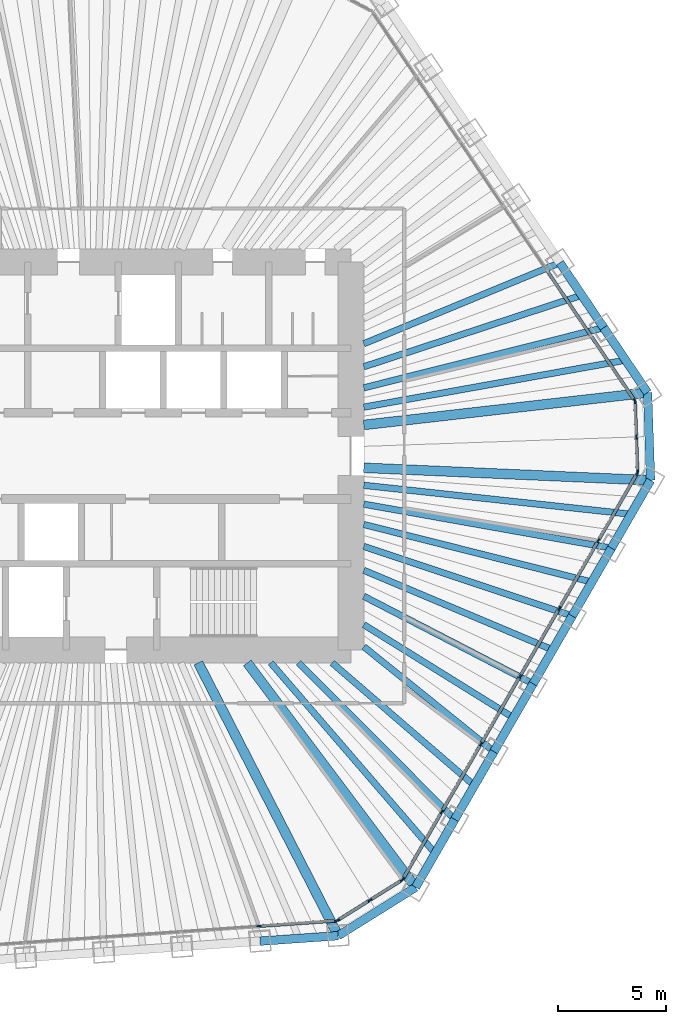
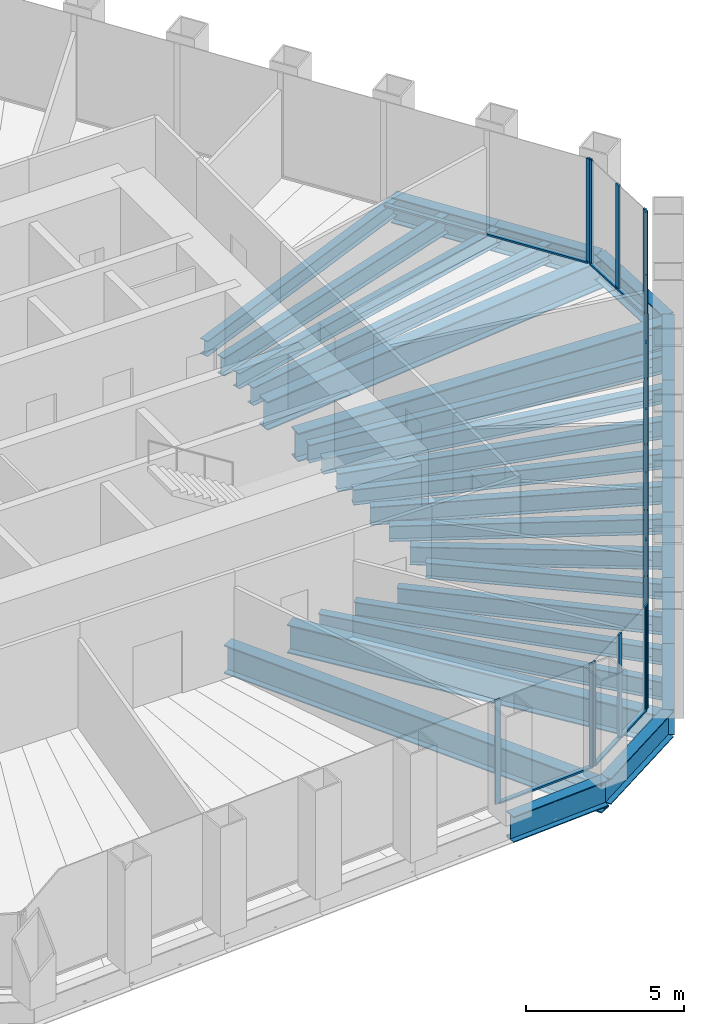
# One storey, part 4 of 14: 30 beams, 29 members, 5 elements without a shape of their own.
"""IFC4 building model written with IfcOpenShell, lengths in metres."""

from ifc_helpers import new_model, si_unit, direction, frame, origin, origin_2d, place, context, subcontext, project, spatial, rectangle, i_section, extrude, material, material_profile, profile_set, type_object, element, aggregate, save


model = new_model("IFC4")

# Units and contexts
model_context = context("Model", 3, precision=1e-05, world=origin(), true_north=direction((0.0, 1.0)))
body_context = subcontext(model_context, "Body", "Model", "MODEL_VIEW")
ifc_project = project(units=[si_unit("LENGTHUNIT", "METRE"), si_unit("AREAUNIT", "SQUARE_METRE"), si_unit("VOLUMEUNIT", "CUBIC_METRE"), si_unit("PLANEANGLEUNIT", "RADIAN"), si_unit("MASSUNIT", "GRAM", prefix="KILO")], contexts=[model_context])

# Site, building, storey
site_placement = place(None, origin())
site = spatial("IfcSite", under=ifc_project, at=site_placement, CompositionType="ELEMENT")
building_placement = place(site_placement, origin())
building = spatial("IfcBuilding", under=site, at=building_placement, Name="Qingtian Harvest Tower", CompositionType="ELEMENT")
storey_placement = place(building_placement, frame((0.0, 0.0, 239.199951171875)))
storey = spatial("IfcBuildingStorey", under=building, at=storey_placement, Name="L52", CompositionType="ELEMENT", Elevation=239.199951171875)

# Beams
ifc_material_1 = material(Name="Steel SM570MC", Category="steel")
ifc_material_profile_1 = material_profile(ifc_material_1, i_section(OverallWidth=0.449951171875, OverallDepth=1.10009765625, WebThickness=0.02197265625, FlangeThickness=0.044921875, at=origin_2d()), Name="H1100x450x22x45")
ifc_profile_set_1 = profile_set([ifc_material_profile_1], Name="Steel SM570MC")
beam_type_1 = type_object("IfcBeamType", Name="Corner floor beam FB8 H1100x450x22x45", PredefinedType="BEAM", material=ifc_profile_set_1)
beam_1_placement = place(storey_placement, frame((25.762451171875, 2.936279296875, -0.719970703125), z_axis=(-0.993566901619, -0.113246686522, 0.0), x_axis=(0.113246686522, -0.993566901619, 0.0)))
element("IfcBeam", 1, at=beam_1_placement, inside=storey, type_object=beam_type_1, Name="Floor beam FB8 NE6", PredefinedType="BEAM", context=body_context, shape_type="SweptSolid", body=[
    extrude(i_section(OverallWidth=0.449951171875, OverallDepth=1.10009765625, WebThickness=0.02197265625, FlangeThickness=0.044921875, at=origin_2d()), origin(), (0.0, 0.0, 1.0), 13.24755859375),
])
beam_2_placement = place(storey_placement, frame((25.904541015625, -1.1318359375, -0.719970703125), z_axis=(-0.999046865424, 0.043650437408, 0.0), x_axis=(-0.043650437408, -0.999046865424, 0.0)))
element("IfcBeam", 2, at=beam_2_placement, inside=storey, type_object=beam_type_1, Name="Floor beam FB8 SE0", PredefinedType="BEAM", context=body_context, shape_type="SweptSolid", body=[
    extrude(i_section(OverallWidth=0.449951171875, OverallDepth=1.10009765625, WebThickness=0.02197265625, FlangeThickness=0.044921875, at=origin_2d()), origin(), (0.0, 0.0, 1.0), 13.317138671875),
])
beam_3_placement = place(storey_placement, frame((15.00390625, -20.012451171875, -0.719970703125), z_axis=(-0.599858913609, 0.800105795357, 0.0), x_axis=(-0.800105795357, -0.599858913609, 0.0)))
element("IfcBeam", 3, at=beam_3_placement, inside=storey, type_object=beam_type_1, Name="Floor beam FB8 SE6", PredefinedType="BEAM", context=body_context, shape_type="SweptSolid", body=[
    extrude(i_section(OverallWidth=0.449951171875, OverallDepth=1.10009765625, WebThickness=0.02197265625, FlangeThickness=0.044921875, at=origin_2d()), origin(), (0.0, 0.0, 1.0), 13.013671875),
])
beam_4_placement = place(storey_placement, frame((11.40966796875, -22.25830078125, -0.719970703125), z_axis=(-0.456157396608, 0.889899111989, 0.0), x_axis=(-0.889899111989, -0.456157396608, 0.0)))
element("IfcBeam", 4, at=beam_4_placement, inside=storey, type_object=beam_type_1, Name="Floor beam FB8 S0", PredefinedType="BEAM", context=body_context, shape_type="SweptSolid", body=[
    extrude(i_section(OverallWidth=0.449951171875, OverallDepth=1.10009765625, WebThickness=0.02197265625, FlangeThickness=0.044921875, at=origin_2d()), origin(), (0.0, 0.0, 1.0), 14.224365234375),
])
ifc_material_2 = material(Name="Steel SN490B", Category="steel")
ifc_material_profile_2 = material_profile(ifc_material_2, i_section(OverallWidth=0.300048828125, OverallDepth=0.60009765625, WebThickness=0.011962890625, FlangeThickness=0.02001953125, at=origin_2d()), Name="H600x300x12x20")
ifc_profile_set_2 = profile_set([ifc_material_profile_2], Name="Steel SN490B")
beam_type_2 = type_object("IfcBeamType", Name="Floor beam FB3 H600x300x12x20", PredefinedType="BEAM", material=ifc_profile_set_2)
beam_5_placement = place(storey_placement, frame((21.69873046875, 8.9609375, -0.469970703125), z_axis=(-0.924281590361, -0.381711332973, 0.0), x_axis=(0.381711332973, -0.924281590361, 0.0)))
element("IfcBeam", 5, at=beam_5_placement, inside=storey, type_object=beam_type_2, Name="Floor beam FB3 NE4", PredefinedType="BEAM", context=body_context, shape_type="SweptSolid", body=[
    extrude(i_section(OverallWidth=0.300048828125, OverallDepth=0.60009765625, WebThickness=0.011962890625, FlangeThickness=0.02001953125, at=origin_2d()), origin(), (0.0, 0.0, 1.0), 9.843994140625),
])
beam_6_placement = place(storey_placement, frame((23.730712890625, 5.948486328125, -0.469970703125), z_axis=(-0.969990876487, -0.243141315972, 0.0), x_axis=(0.243141315972, -0.969990876487, 0.0)))
element("IfcBeam", 6, at=beam_6_placement, inside=storey, type_object=beam_type_2, Name="Floor beam FB3 NE5", PredefinedType="BEAM", context=body_context, shape_type="SweptSolid", body=[
    extrude(i_section(OverallWidth=0.300048828125, OverallDepth=0.60009765625, WebThickness=0.011962890625, FlangeThickness=0.02001953125, at=origin_2d()), origin(), (0.0, 0.0, 1.0), 11.474853515625),
])
beam_7_placement = place(storey_placement, frame((24.087890625, -4.27880859375, -0.469970703125), z_axis=(-0.98458469654, 0.174908477034, 0.0), x_axis=(-0.174908477034, -0.98458469654, 0.0)))
element("IfcBeam", 7, at=beam_7_placement, inside=storey, type_object=beam_type_2, Name="Floor beam FB3 SE1", PredefinedType="BEAM", context=body_context, shape_type="SweptSolid", body=[
    extrude(i_section(OverallWidth=0.300048828125, OverallDepth=0.60009765625, WebThickness=0.011962890625, FlangeThickness=0.02001953125, at=origin_2d()), origin(), (0.0, 0.0, 1.0), 11.667724609375),
])
beam_8_placement = place(storey_placement, frame((22.27099609375, -7.425537109375, -0.469970703125), z_axis=(-0.948654555734, 0.316313979908, 0.0), x_axis=(-0.316313979908, -0.948654555734, 0.0)))
element("IfcBeam", 8, at=beam_8_placement, inside=storey, type_object=beam_type_2, Name="Floor beam FB3 SE2", PredefinedType="BEAM", context=body_context, shape_type="SweptSolid", body=[
    extrude(i_section(OverallWidth=0.300048828125, OverallDepth=0.60009765625, WebThickness=0.011962890625, FlangeThickness=0.02001953125, at=origin_2d()), origin(), (0.0, 0.0, 1.0), 10.1943359375),
])
beam_9_placement = place(storey_placement, frame((20.454345703125, -10.572265625, -0.469970703125), z_axis=(-0.888343501027, 0.459179511938, 0.0), x_axis=(-0.459179511938, -0.888343501027, 0.0)))
element("IfcBeam", 9, at=beam_9_placement, inside=storey, type_object=beam_type_2, Name="Floor beam FB3 SE3", PredefinedType="BEAM", context=body_context, shape_type="SweptSolid", body=[
    extrude(i_section(OverallWidth=0.300048828125, OverallDepth=0.60009765625, WebThickness=0.011962890625, FlangeThickness=0.02001953125, at=origin_2d()), origin(), (0.0, 0.0, 1.0), 8.841552734375),
])
beam_10_placement = place(storey_placement, frame((18.637451171875, -13.718994140625, -0.469970703125), z_axis=(-0.77840907003, 0.62775737327, 0.0), x_axis=(-0.62775737327, -0.77840907003, 0.0)))
element("IfcBeam", 10, at=beam_10_placement, inside=storey, type_object=beam_type_2, Name="Floor beam FB3 SE4", PredefinedType="BEAM", context=body_context, shape_type="SweptSolid", body=[
    extrude(i_section(OverallWidth=0.300048828125, OverallDepth=0.60009765625, WebThickness=0.011962890625, FlangeThickness=0.02001953125, at=origin_2d()), origin(), (0.0, 0.0, 1.0), 7.756103515625),
])
beam_11_placement = place(storey_placement, frame((16.82080078125, -16.86572265625, -0.469970703125), z_axis=(-0.70616637797, 0.708045935392, 0.0), x_axis=(-0.708045935392, -0.70616637797, 0.0)))
element("IfcBeam", 11, at=beam_11_placement, inside=storey, type_object=beam_type_2, Name="Floor beam FB3 SE5", PredefinedType="BEAM", context=body_context, shape_type="SweptSolid", body=[
    extrude(i_section(OverallWidth=0.300048828125, OverallDepth=0.60009765625, WebThickness=0.011962890625, FlangeThickness=0.02001953125, at=origin_2d()), origin(), (0.0, 0.0, 1.0), 10.261474609375),
])
ifc_material_3 = material(Name="Steel SN490B", Category="steel")
ifc_material_profile_3 = material_profile(ifc_material_3, i_section(OverallWidth=0.300048828125, OverallDepth=0.699951171875, WebThickness=0.012939453125, FlangeThickness=0.02392578125, at=origin_2d()), Name="H700x300x13x24")
ifc_profile_set_3 = profile_set([ifc_material_profile_3], Name="Steel SN490B")
beam_type_3 = type_object("IfcBeamType", Name="Floor joist J2 H700x300x13x24", PredefinedType="JOIST", material=ifc_profile_set_3)
beam_12_placement = place(storey_placement, frame((22.71484375, 7.454833984375, -0.52001953125), z_axis=(-0.950138567513, -0.311828001508, 0.0), x_axis=(0.311828001508, -0.950138567513, 0.0)))
element("IfcBeam", 12, at=beam_12_placement, inside=storey, type_object=beam_type_3, Name="Floor joist J2 NE4", PredefinedType="JOIST", context=body_context, shape_type="SweptSolid", body=[
    extrude(i_section(OverallWidth=0.300048828125, OverallDepth=0.699951171875, WebThickness=0.012939453125, FlangeThickness=0.02392578125, at=origin_2d()), origin(), (0.0, 0.0, 1.0), 10.6455078125),
])
beam_13_placement = place(storey_placement, frame((24.74658203125, 4.4423828125, -0.52001953125), z_axis=(-0.98426723745, -0.176686177393, 0.0), x_axis=(0.176686177393, -0.98426723745, 0.0)))
element("IfcBeam", 13, at=beam_13_placement, inside=storey, type_object=beam_type_3, Name="Floor joist J2 NE5", PredefinedType="JOIST", context=body_context, shape_type="SweptSolid", body=[
    extrude(i_section(OverallWidth=0.300048828125, OverallDepth=0.699951171875, WebThickness=0.012939453125, FlangeThickness=0.02392578125, at=origin_2d()), origin(), (0.0, 0.0, 1.0), 12.340576171875),
])
beam_14_placement = place(storey_placement, frame((24.99609375, -2.705322265625, -0.52001953125), z_axis=(-0.994194656298, 0.107596400448, 0.0), x_axis=(-0.107596400448, -0.994194656298, 0.0)))
element("IfcBeam", 14, at=beam_14_placement, inside=storey, type_object=beam_type_3, Name="Floor joist J2 SE0", PredefinedType="JOIST", context=body_context, shape_type="SweptSolid", body=[
    extrude(i_section(OverallWidth=0.300048828125, OverallDepth=0.699951171875, WebThickness=0.012939453125, FlangeThickness=0.02392578125, at=origin_2d()), origin(), (0.0, 0.0, 1.0), 12.46826171875),
])
beam_15_placement = place(storey_placement, frame((23.179443359375, -5.85205078125, -0.52001953125), z_axis=(-0.969577887027, 0.244783007963, 0.0), x_axis=(-0.244783007963, -0.969577887027, 0.0)))
element("IfcBeam", 15, at=beam_15_placement, inside=storey, type_object=beam_type_3, Name="Floor joist J2 SE1", PredefinedType="JOIST", context=body_context, shape_type="SweptSolid", body=[
    extrude(i_section(OverallWidth=0.300048828125, OverallDepth=0.699951171875, WebThickness=0.012939453125, FlangeThickness=0.02392578125, at=origin_2d()), origin(), (0.0, 0.0, 1.0), 10.911376953125),
])
beam_16_placement = place(storey_placement, frame((21.362548828125, -8.998779296875, -0.52001953125), z_axis=(-0.921571079516, 0.388209666803, 0.0), x_axis=(-0.388209666803, -0.921571079516, 0.0)))
element("IfcBeam", 16, at=beam_16_placement, inside=storey, type_object=beam_type_3, Name="Floor joist J2 SE2", PredefinedType="JOIST", context=body_context, shape_type="SweptSolid", body=[
    extrude(i_section(OverallWidth=0.300048828125, OverallDepth=0.699951171875, WebThickness=0.012939453125, FlangeThickness=0.02392578125, at=origin_2d()), origin(), (0.0, 0.0, 1.0), 9.508056640625),
])
beam_17_placement = place(storey_placement, frame((19.5458984375, -12.1455078125, -0.52001953125), z_axis=(-0.849380822906, 0.527780463526, 0.0), x_axis=(-0.527780463526, -0.849380822906, 0.0)))
element("IfcBeam", 17, at=beam_17_placement, inside=storey, type_object=beam_type_3, Name="Floor joist J2 SE3", PredefinedType="JOIST", context=body_context, shape_type="SweptSolid", body=[
    extrude(i_section(OverallWidth=0.300048828125, OverallDepth=0.699951171875, WebThickness=0.012939453125, FlangeThickness=0.02392578125, at=origin_2d()), origin(), (0.0, 0.0, 1.0), 8.177490234375),
])
beam_18_placement = place(storey_placement, frame((17.72900390625, -15.292236328125, -0.52001953125), z_axis=(-0.757237954988, 0.653139096613, 0.0), x_axis=(-0.653139096613, -0.757237954988, 0.0)))
element("IfcBeam", 18, at=beam_18_placement, inside=storey, type_object=beam_type_3, Name="Floor joist J2 SE4", PredefinedType="JOIST", context=body_context, shape_type="SweptSolid", body=[
    extrude(i_section(OverallWidth=0.300048828125, OverallDepth=0.699951171875, WebThickness=0.012939453125, FlangeThickness=0.02392578125, at=origin_2d()), origin(), (0.0, 0.0, 1.0), 8.715087890625),
])
beam_19_placement = place(storey_placement, frame((15.912353515625, -18.43896484375, -0.52001953125), z_axis=(-0.653343257086, 0.757061812813, 0.0), x_axis=(-0.757061812813, -0.653343257086, 0.0)))
element("IfcBeam", 19, at=beam_19_placement, inside=storey, type_object=beam_type_3, Name="Floor joist J2 SE5", PredefinedType="JOIST", context=body_context, shape_type="SweptSolid", body=[
    extrude(i_section(OverallWidth=0.300048828125, OverallDepth=0.699951171875, WebThickness=0.012939453125, FlangeThickness=0.02392578125, at=origin_2d()), origin(), (0.0, 0.0, 1.0), 11.67529296875),
])

# Curtain wall, member
ifc_material_4 = material(Name="Bronze-anodised aluminium curtain wall", Category="aluminium")
curtain_wall_type = type_object("IfcCurtainWallType", Name="Curtain wall CW4 office", PredefinedType="USERDEFINED", material=ifc_material_4)
curtain_wall_1_placement = place(storey_placement, origin())
curtain_wall_1 = element("IfcCurtainWall", 20, at=curtain_wall_1_placement, inside=storey, type_object=curtain_wall_type, Name="Curtain wall CW4 L52 NE0-5", ObjectType="RECESSED CURTAIN WALL", PredefinedType="USERDEFINED")
ifc_material_5 = material(Name="Bronze-anodised aluminium mullion", Category="aluminium")
ifc_material_profile_4 = material_profile(ifc_material_5, rectangle(XDim=0.06494140625, YDim=0.199951171875, at=origin_2d()), Name="AL 65x200")
ifc_profile_set_4 = profile_set([ifc_material_profile_4], Name="Bronze-anodised aluminium mullion")
member_type_1 = type_object("IfcMemberType", Name="Mullion CWM 65x200", PredefinedType="MULLION", material=ifc_profile_set_4)
member_1_placement = place(storey_placement, frame((25.1640625, 2.57177734375, 0.0), z_axis=(0.0, 0.0, 1.0), x_axis=(0.829037572555, 0.559192903471, 0.0)))
member_1 = element("IfcMember", 21, at=member_1_placement, type_object=member_type_1, Name="CW4 mullion 7", PredefinedType="MULLION", context=body_context, shape_type="SweptSolid", body=[
    extrude(rectangle(XDim=0.06494140625, YDim=0.199951171875, at=origin_2d()), origin(), (0.0, 0.0, 1.0), 4.030029296875),
])

# Curtain wall, members
curtain_wall_2_placement = place(storey_placement, origin())
curtain_wall_2 = element("IfcCurtainWall", 22, at=curtain_wall_2_placement, inside=storey, type_object=curtain_wall_type, Name="Curtain wall CW4 L52 NEC", ObjectType="RECESSED CURTAIN WALL", PredefinedType="USERDEFINED")
member_2_placement = place(storey_placement, frame((25.183349609375, 2.51220703125, 0.0), z_axis=(0.0, 0.0, 1.0), x_axis=(0.999390827019, 0.034899496703, 0.0)))
member_2 = element("IfcMember", 23, at=member_2_placement, type_object=member_type_1, Name="CW4 mullion 1", PredefinedType="MULLION", context=body_context, shape_type="SweptSolid", body=[
    extrude(rectangle(XDim=0.06494140625, YDim=0.199951171875, at=origin_2d()), origin(), (0.0, 0.0, 1.0), 4.030029296875),
])
member_3_placement = place(storey_placement, frame((25.240234375, 0.88134765625, 0.0), z_axis=(0.0, 0.0, 1.0), x_axis=(0.999390827019, 0.034899496703, 0.0)))
member_3 = element("IfcMember", 24, at=member_3_placement, type_object=member_type_1, Name="CW4 mullion 2", PredefinedType="MULLION", context=body_context, shape_type="SweptSolid", body=[
    extrude(rectangle(XDim=0.06494140625, YDim=0.199951171875, at=origin_2d()), origin(), (0.0, 0.0, 1.0), 4.030029296875),
])
member_4_placement = place(storey_placement, frame((25.297119140625, -0.74951171875, 0.0), z_axis=(0.0, 0.0, 1.0), x_axis=(0.999390827019, 0.034899496703, 0.0)))
member_4 = element("IfcMember", 25, at=member_4_placement, type_object=member_type_1, Name="CW4 mullion 3", PredefinedType="MULLION", context=body_context, shape_type="SweptSolid", body=[
    extrude(rectangle(XDim=0.06494140625, YDim=0.199951171875, at=origin_2d()), origin(), (0.0, 0.0, 1.0), 4.030029296875),
])

curtain_wall_3_placement = place(storey_placement, origin())
curtain_wall_3 = element("IfcCurtainWall", 26, at=curtain_wall_3_placement, inside=storey, type_object=curtain_wall_type, Name="Curtain wall CW4 L52 SE0-5", ObjectType="RECESSED CURTAIN WALL", PredefinedType="USERDEFINED")
member_5_placement = place(storey_placement, frame((25.2822265625, -0.81005859375, 0.0), z_axis=(0.0, 0.0, 1.0), x_axis=(0.866025403784, -0.5, 0.0)))
member_5 = element("IfcMember", 27, at=member_5_placement, type_object=member_type_1, Name="CW4 mullion 1", PredefinedType="MULLION", context=body_context, shape_type="SweptSolid", body=[
    extrude(rectangle(XDim=0.06494140625, YDim=0.199951171875, at=origin_2d()), origin(), (0.0, 0.0, 1.0), 4.030029296875),
])
member_6_placement = place(storey_placement, frame((23.481689453125, -3.9287109375, 0.0), z_axis=(0.0, 0.0, 1.0), x_axis=(0.866025403784, -0.5, 0.0)))
member_6 = element("IfcMember", 28, at=member_6_placement, type_object=member_type_1, Name="CW4 mullion 2", PredefinedType="MULLION", context=body_context, shape_type="SweptSolid", body=[
    extrude(rectangle(XDim=0.06494140625, YDim=0.199951171875, at=origin_2d()), origin(), (0.0, 0.0, 1.0), 4.030029296875),
])
member_7_placement = place(storey_placement, frame((21.664794921875, -7.075439453125, 0.0), z_axis=(0.0, 0.0, 1.0), x_axis=(0.866025403784, -0.5, 0.0)))
member_7 = element("IfcMember", 29, at=member_7_placement, type_object=member_type_1, Name="CW4 mullion 3", PredefinedType="MULLION", context=body_context, shape_type="SweptSolid", body=[
    extrude(rectangle(XDim=0.06494140625, YDim=0.199951171875, at=origin_2d()), origin(), (0.0, 0.0, 1.0), 4.030029296875),
])
member_8_placement = place(storey_placement, frame((19.84814453125, -10.22216796875, 0.0), z_axis=(0.0, 0.0, 1.0), x_axis=(0.866025403784, -0.5, 0.0)))
member_8 = element("IfcMember", 30, at=member_8_placement, type_object=member_type_1, Name="CW4 mullion 4", PredefinedType="MULLION", context=body_context, shape_type="SweptSolid", body=[
    extrude(rectangle(XDim=0.06494140625, YDim=0.199951171875, at=origin_2d()), origin(), (0.0, 0.0, 1.0), 4.030029296875),
])
member_9_placement = place(storey_placement, frame((18.03125, -13.368896484375, 0.0), z_axis=(0.0, 0.0, 1.0), x_axis=(0.866025403784, -0.5, 0.0)))
member_9 = element("IfcMember", 31, at=member_9_placement, type_object=member_type_1, Name="CW4 mullion 5", PredefinedType="MULLION", context=body_context, shape_type="SweptSolid", body=[
    extrude(rectangle(XDim=0.06494140625, YDim=0.199951171875, at=origin_2d()), origin(), (0.0, 0.0, 1.0), 4.030029296875),
])
member_10_placement = place(storey_placement, frame((16.214599609375, -16.515625, 0.0), z_axis=(0.0, 0.0, 1.0), x_axis=(0.866025403784, -0.5, 0.0)))
member_10 = element("IfcMember", 32, at=member_10_placement, type_object=member_type_1, Name="CW4 mullion 6", PredefinedType="MULLION", context=body_context, shape_type="SweptSolid", body=[
    extrude(rectangle(XDim=0.06494140625, YDim=0.199951171875, at=origin_2d()), origin(), (0.0, 0.0, 1.0), 4.030029296875),
])
member_11_placement = place(storey_placement, frame((14.4140625, -19.63427734375, 0.0), z_axis=(0.0, 0.0, 1.0), x_axis=(0.866025403784, -0.5, 0.0)))
member_11 = element("IfcMember", 33, at=member_11_placement, type_object=member_type_1, Name="CW4 mullion 7", PredefinedType="MULLION", context=body_context, shape_type="SweptSolid", body=[
    extrude(rectangle(XDim=0.06494140625, YDim=0.199951171875, at=origin_2d()), origin(), (0.0, 0.0, 1.0), 4.030029296875),
])

curtain_wall_4_placement = place(storey_placement, origin())
curtain_wall_4 = element("IfcCurtainWall", 34, at=curtain_wall_4_placement, inside=storey, type_object=curtain_wall_type, Name="Curtain wall CW4 L52 SEC", ObjectType="RECESSED CURTAIN WALL", PredefinedType="USERDEFINED")
member_12_placement = place(storey_placement, frame((14.3701171875, -19.6796875, 0.0), z_axis=(0.0, 0.0, 1.0), x_axis=(0.529919264233, -0.848048096156, 0.0)))
member_12 = element("IfcMember", 35, at=member_12_placement, type_object=member_type_1, Name="CW4 mullion 1", PredefinedType="MULLION", context=body_context, shape_type="SweptSolid", body=[
    extrude(rectangle(XDim=0.06494140625, YDim=0.199951171875, at=origin_2d()), origin(), (0.0, 0.0, 1.0), 4.030029296875),
])
member_13_placement = place(storey_placement, frame((12.87939453125, -20.611328125, 0.0), z_axis=(0.0, 0.0, 1.0), x_axis=(0.529919264233, -0.848048096156, 0.0)))
member_13 = element("IfcMember", 36, at=member_13_placement, type_object=member_type_1, Name="CW4 mullion 2", PredefinedType="MULLION", context=body_context, shape_type="SweptSolid", body=[
    extrude(rectangle(XDim=0.06494140625, YDim=0.199951171875, at=origin_2d()), origin(), (0.0, 0.0, 1.0), 4.030029296875),
])
member_14_placement = place(storey_placement, frame((11.388427734375, -21.542724609375, 0.0), z_axis=(0.0, 0.0, 1.0), x_axis=(0.529919264233, -0.848048096156, 0.0)))
member_14 = element("IfcMember", 37, at=member_14_placement, type_object=member_type_1, Name="CW4 mullion 3", PredefinedType="MULLION", context=body_context, shape_type="SweptSolid", body=[
    extrude(rectangle(XDim=0.06494140625, YDim=0.199951171875, at=origin_2d()), origin(), (0.0, 0.0, 1.0), 4.030029296875),
])

curtain_wall_5_placement = place(storey_placement, origin())
curtain_wall_5 = element("IfcCurtainWall", 38, at=curtain_wall_5_placement, inside=storey, type_object=curtain_wall_type, Name="Curtain wall CW4 L52 S0-5", ObjectType="RECESSED CURTAIN WALL", PredefinedType="USERDEFINED")
member_15_placement = place(storey_placement, frame((11.32861328125, -21.562255859375, 0.0), z_axis=(0.0, 0.0, 1.0), x_axis=(0.069756473744, -0.99756405026, 0.0)))
member_15 = element("IfcMember", 39, at=member_15_placement, type_object=member_type_1, Name="CW4 mullion 1", PredefinedType="MULLION", context=body_context, shape_type="SweptSolid", body=[
    extrude(rectangle(XDim=0.06494140625, YDim=0.199951171875, at=origin_2d()), origin(), (0.0, 0.0, 1.0), 4.030029296875),
])
member_16_placement = place(storey_placement, frame((7.736328125, -21.8134765625, 0.0), z_axis=(0.0, 0.0, 1.0), x_axis=(0.069756473744, -0.99756405026, 0.0)))
member_16 = element("IfcMember", 40, at=member_16_placement, type_object=member_type_1, Name="CW4 mullion 2", PredefinedType="MULLION", context=body_context, shape_type="SweptSolid", body=[
    extrude(rectangle(XDim=0.06494140625, YDim=0.199951171875, at=origin_2d()), origin(), (0.0, 0.0, 1.0), 4.030029296875),
])

# Beams
ifc_material_6 = material(Name="Steel SN490B", Category="steel")
ifc_material_profile_5 = material_profile(ifc_material_6, i_section(OverallWidth=0.39990234375, OverallDepth=1.0, WebThickness=0.01904296875, FlangeThickness=0.035888671875, at=origin_2d()), Name="H1000x400x19x36")
ifc_profile_set_5 = profile_set([ifc_material_profile_5], Name="Steel SN490B")
beam_type_4 = type_object("IfcBeamType", Name="Spandrel beam SB3 H1000x400x19x36", PredefinedType="SPANDREL", material=ifc_profile_set_5)
beam_20_placement = place(storey_placement, frame((21.69873046875, 8.9609375, -0.5), z_axis=(0.55920395902, -0.829030115385, 0.0), x_axis=(0.829030115385, 0.55920395902, 0.0)))
element("IfcBeam", 41, at=beam_20_placement, inside=storey, type_object=beam_type_4, Name="Spandrel SB3 NE4", PredefinedType="SPANDREL", context=body_context, shape_type="SweptSolid", body=[
    extrude(i_section(OverallWidth=0.39990234375, OverallDepth=1.0, WebThickness=0.01904296875, FlangeThickness=0.035888671875, at=origin_2d()), origin(), (0.0, 0.0, 1.0), 3.6337890625),
])
beam_21_placement = place(storey_placement, frame((23.730712890625, 5.948486328125, -0.5), z_axis=(0.559188928021, -0.829040254016, 0.0), x_axis=(0.829040254016, 0.559188928021, 0.0)))
element("IfcBeam", 42, at=beam_21_placement, inside=storey, type_object=beam_type_4, Name="Spandrel SB3 NE5", PredefinedType="SPANDREL", context=body_context, shape_type="SweptSolid", body=[
    extrude(i_section(OverallWidth=0.39990234375, OverallDepth=1.0, WebThickness=0.01904296875, FlangeThickness=0.035888671875, at=origin_2d()), origin(), (0.0, 0.0, 1.0), 3.63330078125),
])
beam_22_placement = place(storey_placement, frame((25.762451171875, 2.936279296875, -0.5), z_axis=(0.03490639867, -0.999390585973, 0.0), x_axis=(0.999390585973, 0.03490639867, 0.0)))
element("IfcBeam", 43, at=beam_22_placement, inside=storey, type_object=beam_type_4, Name="Spandrel SB3 NEC", PredefinedType="SPANDREL", context=body_context, shape_type="SweptSolid", body=[
    extrude(i_section(OverallWidth=0.39990234375, OverallDepth=1.0, WebThickness=0.01904296875, FlangeThickness=0.035888671875, at=origin_2d()), origin(), (0.0, 0.0, 1.0), 4.070556640625),
])
beam_23_placement = place(storey_placement, frame((25.904541015625, -1.1318359375, -0.5), z_axis=(-0.499947341849, -0.866055803848, 0.0), x_axis=(0.866055803848, -0.499947341849, 0.0)))
element("IfcBeam", 44, at=beam_23_placement, inside=storey, type_object=beam_type_4, Name="Spandrel SB3 SE0", PredefinedType="SPANDREL", context=body_context, shape_type="SweptSolid", body=[
    extrude(i_section(OverallWidth=0.39990234375, OverallDepth=1.0, WebThickness=0.01904296875, FlangeThickness=0.035888671875, at=origin_2d()), origin(), (0.0, 0.0, 1.0), 3.6337890625),
])
for number, where, z_axis, x_axis, name in (
    (45, (24.087890625, -4.27880859375, -0.5), (-0.500026827678, -0.866009914263, 0.0), (0.866009914263, -0.500026827678, 0.0), "Spandrel SB3 SE1"),
    (46, (22.27099609375, -7.425537109375, -0.5), (-0.499976434558, -0.866039008871, 0.0), (0.866039008871, -0.499976434558, 0.0), "Spandrel SB3 SE2"),
    (47, (20.454345703125, -10.572265625, -0.5), (-0.500026827678, -0.866009914263, 0.0), (0.866009914263, -0.500026827678, 0.0), "Spandrel SB3 SE3"),
    (48, (18.637451171875, -13.718994140625, -0.5), (-0.499976434558, -0.866039008871, 0.0), (0.866039008871, -0.499976434558, 0.0), "Spandrel SB3 SE4"),
    (49, (16.82080078125, -16.86572265625, -0.5), (-0.500026827678, -0.866009914263, 0.0), (0.866009914263, -0.500026827678, 0.0), "Spandrel SB3 SE5"),
):
    element("IfcBeam", number, at=place(storey_placement, frame(where, z_axis=z_axis, x_axis=x_axis)), inside=storey, type_object=beam_type_4, Name=name, PredefinedType="SPANDREL", context=body_context, shape_type="SweptSolid", body=[
        extrude(i_section(OverallWidth=0.39990234375, OverallDepth=1.0, WebThickness=0.01904296875, FlangeThickness=0.035888671875, at=origin_2d()), origin(), (0.0, 0.0, 1.0), 3.633544921875),
    ])
beam_24_placement = place(storey_placement, frame((15.00390625, -20.012451171875, -0.5), z_axis=(-0.848056550838, -0.529905733675, 0.0), x_axis=(0.529905733675, -0.848056550838, 0.0)))
element("IfcBeam", 50, at=beam_24_placement, inside=storey, type_object=beam_type_4, Name="Spandrel SB3 SEC", PredefinedType="SPANDREL", context=body_context, shape_type="SweptSolid", body=[
    extrude(i_section(OverallWidth=0.39990234375, OverallDepth=1.0, WebThickness=0.01904296875, FlangeThickness=0.035888671875, at=origin_2d()), origin(), (0.0, 0.0, 1.0), 4.23828125),
])
beam_25_placement = place(storey_placement, frame((11.40966796875, -22.25830078125, -0.5), z_axis=(-0.997564674207, -0.069747550305, 0.0), x_axis=(0.069747550305, -0.997564674207, 0.0)))
element("IfcBeam", 51, at=beam_25_placement, inside=storey, type_object=beam_type_4, Name="Spandrel SB3 S0", PredefinedType="SPANDREL", context=body_context, shape_type="SweptSolid", body=[
    extrude(i_section(OverallWidth=0.39990234375, OverallDepth=1.0, WebThickness=0.01904296875, FlangeThickness=0.035888671875, at=origin_2d()), origin(), (0.0, 0.0, 1.0), 3.63330078125),
])

# Member
ifc_material_7 = material(Name="Bronze-anodised aluminium transom", Category="aluminium")
ifc_material_profile_6 = material_profile(ifc_material_7, rectangle(XDim=0.14990234375, YDim=0.06494140625, at=origin_2d()), Name="AL 65x150")
ifc_profile_set_6 = profile_set([ifc_material_profile_6], Name="Bronze-anodised aluminium transom")
member_type_2 = type_object("IfcMemberType", Name="Transom CWT 65x150", PredefinedType="USERDEFINED", material=ifc_profile_set_6)
member_17_placement = place(storey_placement, frame((21.13671875, 8.54248046875, 0.032470703125), z_axis=(0.559160259871, -0.829059590006, 0.0), x_axis=(0.829059590006, 0.559160259871, 0.0)))
member_17 = element("IfcMember", 52, at=member_17_placement, type_object=member_type_2, Name="CW4 transom 5.1", ObjectType="TRANSOM", PredefinedType="USERDEFINED", context=body_context, shape_type="SweptSolid", body=[
    extrude(rectangle(XDim=0.14990234375, YDim=0.06494140625, at=origin_2d()), origin(), (0.0, 0.0, 1.0), 3.568603515625),
])

member_18_placement = place(storey_placement, frame((23.16845703125, 5.5302734375, 0.032470703125), z_axis=(0.559169259008, -0.829053520456, 0.0), x_axis=(0.829053520456, 0.559169259008, 0.0)))
member_18 = element("IfcMember", 53, at=member_18_placement, type_object=member_type_2, Name="CW4 transom 6.1", ObjectType="TRANSOM", PredefinedType="USERDEFINED", context=body_context, shape_type="SweptSolid", body=[
    extrude(rectangle(XDim=0.14990234375, YDim=0.06494140625, at=origin_2d()), origin(), (0.0, 0.0, 1.0), 3.5361328125),
])

aggregate(curtain_wall_1, [member_1, member_17, member_18])

member_19_placement = place(storey_placement, frame((25.1845703125, 2.479736328125, 0.032470703125), z_axis=(0.034902326647, -0.999390728191, 0.0), x_axis=(0.999390728191, 0.034902326647, 0.0)))
member_19 = element("IfcMember", 54, at=member_19_placement, type_object=member_type_2, Name="CW4 transom 1.1", ObjectType="TRANSOM", PredefinedType="USERDEFINED", context=body_context, shape_type="SweptSolid", body=[
    extrude(rectangle(XDim=0.14990234375, YDim=0.06494140625, at=origin_2d()), origin(), (0.0, 0.0, 1.0), 1.56689453125),
])

member_20_placement = place(storey_placement, frame((25.241455078125, 0.848876953125, 0.032470703125), z_axis=(0.034902326647, -0.999390728191, 0.0), x_axis=(0.999390728191, 0.034902326647, 0.0)))
member_20 = element("IfcMember", 55, at=member_20_placement, type_object=member_type_2, Name="CW4 transom 2.1", ObjectType="TRANSOM", PredefinedType="USERDEFINED", context=body_context, shape_type="SweptSolid", body=[
    extrude(rectangle(XDim=0.14990234375, YDim=0.06494140625, at=origin_2d()), origin(), (0.0, 0.0, 1.0), 1.56689453125),
])

aggregate(curtain_wall_2, [member_2, member_3, member_4, member_19, member_20])

member_21_placement = place(storey_placement, frame((25.265869140625, -0.838134765625, 0.032470703125), z_axis=(-0.499985409597, -0.866033827394, 0.0), x_axis=(0.866033827394, -0.499985409597, 0.0)))
member_21 = element("IfcMember", 56, at=member_21_placement, type_object=member_type_2, Name="CW4 transom 1.1", ObjectType="TRANSOM", PredefinedType="USERDEFINED", context=body_context, shape_type="SweptSolid", body=[
    extrude(rectangle(XDim=0.14990234375, YDim=0.06494140625, at=origin_2d()), origin(), (0.0, 0.0, 1.0), 3.5361328125),
])

member_22_placement = place(storey_placement, frame((23.46533203125, -3.956787109375, 0.032470703125), z_axis=(-0.499965259726, -0.866045460162, 0.0), x_axis=(0.866045460162, -0.499965259726, 0.0)))
member_22 = element("IfcMember", 57, at=member_22_placement, type_object=member_type_2, Name="CW4 transom 2.1", ObjectType="TRANSOM", PredefinedType="USERDEFINED", context=body_context, shape_type="SweptSolid", body=[
    extrude(rectangle(XDim=0.14990234375, YDim=0.06494140625, at=origin_2d()), origin(), (0.0, 0.0, 1.0), 3.568603515625),
])

member_23_placement = place(storey_placement, frame((21.648681640625, -7.103515625, 0.032470703125), z_axis=(-0.500016569533, -0.866015837149, 0.0), x_axis=(0.866015837149, -0.500016569533, 0.0)))
member_23 = element("IfcMember", 58, at=member_23_placement, type_object=member_type_2, Name="CW4 transom 3.1", ObjectType="TRANSOM", PredefinedType="USERDEFINED", context=body_context, shape_type="SweptSolid", body=[
    extrude(rectangle(XDim=0.14990234375, YDim=0.06494140625, at=origin_2d()), origin(), (0.0, 0.0, 1.0), 3.56884765625),
])

member_24_placement = place(storey_placement, frame((19.831787109375, -10.250244140625, 0.032470703125), z_axis=(-0.499965259726, -0.866045460162, 0.0), x_axis=(0.866045460162, -0.499965259726, 0.0)))
member_24 = element("IfcMember", 59, at=member_24_placement, type_object=member_type_2, Name="CW4 transom 4.1", ObjectType="TRANSOM", PredefinedType="USERDEFINED", context=body_context, shape_type="SweptSolid", body=[
    extrude(rectangle(XDim=0.14990234375, YDim=0.06494140625, at=origin_2d()), origin(), (0.0, 0.0, 1.0), 3.568603515625),
])

member_25_placement = place(storey_placement, frame((18.014892578125, -13.39697265625, 0.032470703125), z_axis=(-0.499965259726, -0.866045460162, 0.0), x_axis=(0.866045460162, -0.499965259726, 0.0)))
member_25 = element("IfcMember", 60, at=member_25_placement, type_object=member_type_2, Name="CW4 transom 5.1", ObjectType="TRANSOM", PredefinedType="USERDEFINED", context=body_context, shape_type="SweptSolid", body=[
    extrude(rectangle(XDim=0.14990234375, YDim=0.06494140625, at=origin_2d()), origin(), (0.0, 0.0, 1.0), 3.568603515625),
])

member_26_placement = place(storey_placement, frame((16.1982421875, -16.5439453125, 0.032470703125), z_axis=(-0.500015305566, -0.866016566931, 0.0), x_axis=(0.866016566931, -0.500015305566, 0.0)))
member_26 = element("IfcMember", 61, at=member_26_placement, type_object=member_type_2, Name="CW4 transom 6.1", ObjectType="TRANSOM", PredefinedType="USERDEFINED", context=body_context, shape_type="SweptSolid", body=[
    extrude(rectangle(XDim=0.14990234375, YDim=0.06494140625, at=origin_2d()), origin(), (0.0, 0.0, 1.0), 3.5361328125),
])

aggregate(curtain_wall_3, [member_5, member_6, member_7, member_8, member_9, member_10, member_11, member_21, member_22, member_23, member_24, member_25, member_26])

member_27_placement = place(storey_placement, frame((14.342529296875, -19.69677734375, 0.032470703125), z_axis=(-0.847998304005, -0.529998940003, 0.0), x_axis=(0.529998940003, -0.847998304005, 0.0)))
member_27 = element("IfcMember", 62, at=member_27_placement, type_object=member_type_2, Name="CW4 transom 1.1", ObjectType="TRANSOM", PredefinedType="USERDEFINED", context=body_context, shape_type="SweptSolid", body=[
    extrude(rectangle(XDim=0.14990234375, YDim=0.06494140625, at=origin_2d()), origin(), (0.0, 0.0, 1.0), 1.69287109375),
])

member_28_placement = place(storey_placement, frame((12.851806640625, -20.62841796875, 0.032470703125), z_axis=(-0.84803880708, -0.529934129573, 0.0), x_axis=(0.529934129573, -0.84803880708, 0.0)))
member_28 = element("IfcMember", 63, at=member_28_placement, type_object=member_type_2, Name="CW4 transom 2.1", ObjectType="TRANSOM", PredefinedType="USERDEFINED", context=body_context, shape_type="SweptSolid", body=[
    extrude(rectangle(XDim=0.14990234375, YDim=0.06494140625, at=origin_2d()), origin(), (0.0, 0.0, 1.0), 1.693115234375),
])

aggregate(curtain_wall_4, [member_12, member_13, member_14, member_27, member_28])

member_29_placement = place(storey_placement, frame((11.296142578125, -21.564453125, 0.032470703125), z_axis=(-0.997561034679, -0.069799585166, 0.0), x_axis=(0.069799585166, -0.997561034679, 0.0)))
member_29 = element("IfcMember", 64, at=member_29_placement, type_object=member_type_2, Name="CW4 transom 1.1", ObjectType="TRANSOM", PredefinedType="USERDEFINED", context=body_context, shape_type="SweptSolid", body=[
    extrude(rectangle(XDim=0.14990234375, YDim=0.06494140625, at=origin_2d()), origin(), (0.0, 0.0, 1.0), 3.5361328125),
])

aggregate(curtain_wall_5, [member_15, member_16, member_29])

save(model, "model.ifc")
